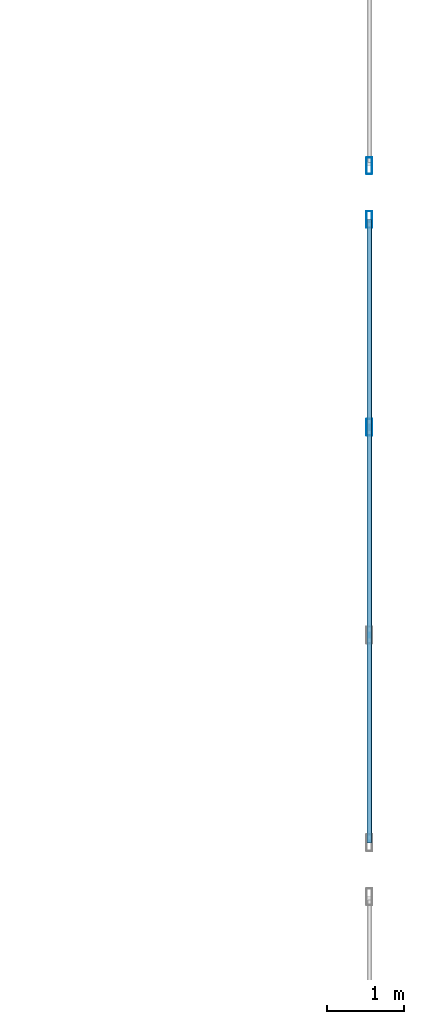
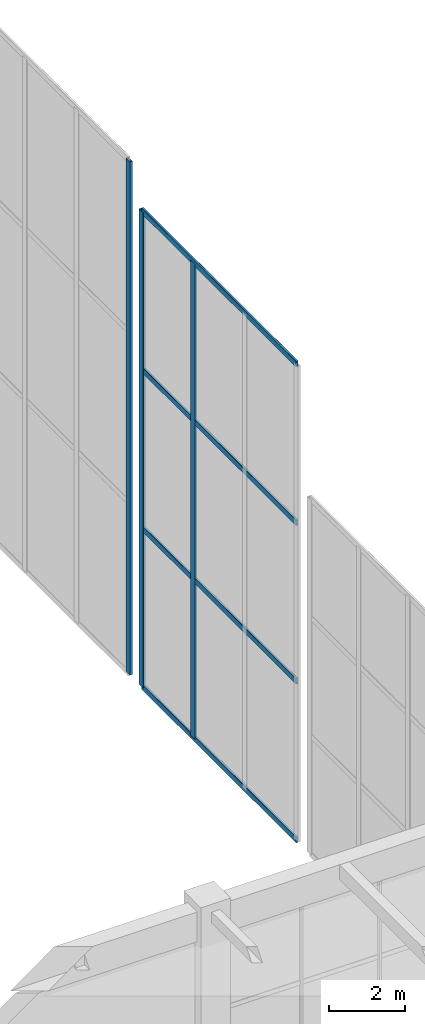
# One storey, part 105 of 163: 7 members, 2 elements without a shape of their own.
"""IFC4 building model written with IfcOpenShell, lengths in metres."""

from ifc_helpers import new_model, si_unit, direction, frame, origin, origin_2d, place, context, subcontext, project, spatial, hollow_rectangle, extrude, material, material_profile, profile_set, type_object, element, aggregate, save


model = new_model("IFC4")

# Units and contexts
model_context = context("Model", 3, precision=1e-05, world=origin(), true_north=direction((0.0, 1.0)))
body_context = subcontext(model_context, "Body", "Model", "MODEL_VIEW")
ifc_project = project(units=[si_unit("LENGTHUNIT", "METRE"), si_unit("AREAUNIT", "SQUARE_METRE"), si_unit("VOLUMEUNIT", "CUBIC_METRE"), si_unit("PLANEANGLEUNIT", "RADIAN"), si_unit("MASSUNIT", "GRAM", prefix="KILO")], contexts=[model_context])

# Site, building, storey
site_placement = place(None, origin())
site = spatial("IfcSite", under=ifc_project, at=site_placement, CompositionType="ELEMENT")
building_placement = place(site_placement, origin())
building = spatial("IfcBuilding", under=site, at=building_placement, Name="Varnabhumi Central Station", CompositionType="ELEMENT")
storey_placement = place(building_placement, frame((0.0, 0.0, 9.60009765625)))
storey = spatial("IfcBuildingStorey", under=building, at=storey_placement, Name="L02", CompositionType="ELEMENT", Elevation=9.60009765625)

# Curtain wall, members
ifc_material = material(Name="Anodised aluminium 6063-T6", Category="aluminium")
curtain_wall_type = type_object("IfcCurtainWallType", Name="CW-VAULT-ARCH-V5", PredefinedType="NOTDEFINED", material=ifc_material)
curtain_wall_1_placement = place(storey_placement, origin())
curtain_wall_1 = element("IfcCurtainWall", 1, at=curtain_wall_1_placement, inside=storey, type_object=curtain_wall_type, Name="Curtain Wall CW-WG2", PredefinedType="NOTDEFINED")
ifc_material_profile_1 = material_profile(ifc_material, hollow_rectangle(XDim=0.074951171875, YDim=0.219970703125, WallThickness=0.0048828125, InnerFilletRadius=0.0009765625, OuterFilletRadius=0.006103515625, at=origin_2d()), Name="Anodised aluminium 6063-T6", Category="aluminium")
ifc_profile_set_1 = profile_set([ifc_material_profile_1], Name="Anodised aluminium 6063-T6")
member_type_1 = type_object("IfcMemberType", Name="CW-MUL-220", PredefinedType="MULLION", material=ifc_profile_set_1)
member_1_placement = place(storey_placement, frame((184.0, 50.550048828125, 0.0), z_axis=(0.0, 0.0, 1.0), x_axis=(1.0, 0.0, 0.0)))
member_1 = element("IfcMember", 2, at=member_1_placement, type_object=member_type_1, Name="Curtain Wall Mullion CW-WG2-M3", PredefinedType="MULLION", context=body_context, shape_type="SweptSolid", body=[
    extrude(hollow_rectangle(XDim=0.074951171875, YDim=0.219970703125, WallThickness=0.0048828125, InnerFilletRadius=0.0009765625, OuterFilletRadius=0.006103515625, at=origin_2d()), origin(), (0.0, 0.0, 1.0), 15.20068359375),
])
member_2_placement = place(storey_placement, frame((184.0, 53.25, 0.0), z_axis=(0.0, 0.0, 1.0), x_axis=(1.0, 0.0, 0.0)))
member_2 = element("IfcMember", 3, at=member_2_placement, type_object=member_type_1, Name="Curtain Wall Mullion CW-WG2-M4", PredefinedType="MULLION", context=body_context, shape_type="SweptSolid", body=[
    extrude(hollow_rectangle(XDim=0.074951171875, YDim=0.219970703125, WallThickness=0.0048828125, InnerFilletRadius=0.0009765625, OuterFilletRadius=0.006103515625, at=origin_2d()), origin(), (0.0, 0.0, 1.0), 15.20068359375),
])

# Curtain wall, member
curtain_wall_2_placement = place(storey_placement, origin())
curtain_wall_2 = element("IfcCurtainWall", 4, at=curtain_wall_2_placement, inside=storey, type_object=curtain_wall_type, Name="Curtain Wall CW-WG3", PredefinedType="NOTDEFINED")
member_3_placement = place(storey_placement, frame((184.0, 53.949951171875, 0.0), z_axis=(0.0, 0.0, 1.0), x_axis=(1.0, 0.0, 0.0)))
member_3 = element("IfcMember", 5, at=member_3_placement, type_object=member_type_1, Name="Curtain Wall Mullion CW-WG3-M1", PredefinedType="MULLION", context=body_context, shape_type="SweptSolid", body=[
    extrude(hollow_rectangle(XDim=0.074951171875, YDim=0.219970703125, WallThickness=0.0048828125, InnerFilletRadius=0.0009765625, OuterFilletRadius=0.006103515625, at=origin_2d()), origin(), (0.0, 0.0, 1.0), 16.39990234375),
])
aggregate(curtain_wall_2, [member_3])

# Member
ifc_material_profile_2 = material_profile(ifc_material, hollow_rectangle(XDim=0.06494140625, YDim=0.179931640625, WallThickness=0.00390625, InnerFilletRadius=0.001953125, OuterFilletRadius=0.006103515625, at=origin_2d()), Name="Anodised aluminium 6063-T6", Category="aluminium")
ifc_profile_set_2 = profile_set([ifc_material_profile_2], Name="Anodised aluminium 6063-T6")
member_type_2 = type_object("IfcMemberType", Name="CW-TR-180", PredefinedType="USERDEFINED", material=ifc_profile_set_2)
member_4_placement = place(storey_placement, frame((184.0, 45.14990234375, 0.0), z_axis=(0.0, 1.0, 0.0), x_axis=(-1.0, 0.0, 0.0)))
member_4 = element("IfcMember", 6, at=member_4_placement, type_object=member_type_2, Name="Curtain Wall Transom CW-WG2-T1", ObjectType="TRANSOM", PredefinedType="USERDEFINED", context=body_context, shape_type="SweptSolid", body=[
    extrude(hollow_rectangle(XDim=0.06494140625, YDim=0.179931640625, WallThickness=0.00390625, InnerFilletRadius=0.001953125, OuterFilletRadius=0.006103515625, at=origin_2d()), origin(), (0.0, 0.0, 1.0), 8.10009765625),
])

member_5_placement = place(storey_placement, frame((184.0, 45.14990234375, 5.06689453125), z_axis=(0.0, 1.0, 0.0), x_axis=(-1.0, 0.0, 0.0)))
member_5 = element("IfcMember", 7, at=member_5_placement, type_object=member_type_2, Name="Curtain Wall Transom CW-WG2-T2", ObjectType="TRANSOM", PredefinedType="USERDEFINED", context=body_context, shape_type="SweptSolid", body=[
    extrude(hollow_rectangle(XDim=0.06494140625, YDim=0.179931640625, WallThickness=0.00390625, InnerFilletRadius=0.001953125, OuterFilletRadius=0.006103515625, at=origin_2d()), origin(), (0.0, 0.0, 1.0), 8.10009765625),
])

member_6_placement = place(storey_placement, frame((184.0, 45.14990234375, 10.1337890625), z_axis=(0.0, 1.0, 0.0), x_axis=(-1.0, 0.0, 0.0)))
member_6 = element("IfcMember", 8, at=member_6_placement, type_object=member_type_2, Name="Curtain Wall Transom CW-WG2-T3", ObjectType="TRANSOM", PredefinedType="USERDEFINED", context=body_context, shape_type="SweptSolid", body=[
    extrude(hollow_rectangle(XDim=0.06494140625, YDim=0.179931640625, WallThickness=0.00390625, InnerFilletRadius=0.001953125, OuterFilletRadius=0.006103515625, at=origin_2d()), origin(), (0.0, 0.0, 1.0), 8.10009765625),
])

member_7_placement = place(storey_placement, frame((184.0, 45.14990234375, 15.20068359375), z_axis=(0.0, 1.0, 0.0), x_axis=(-1.0, 0.0, 0.0)))
member_7 = element("IfcMember", 9, at=member_7_placement, type_object=member_type_2, Name="Curtain Wall Transom CW-WG2-T4", ObjectType="TRANSOM", PredefinedType="USERDEFINED", context=body_context, shape_type="SweptSolid", body=[
    extrude(hollow_rectangle(XDim=0.06494140625, YDim=0.179931640625, WallThickness=0.00390625, InnerFilletRadius=0.001953125, OuterFilletRadius=0.006103515625, at=origin_2d()), origin(), (0.0, 0.0, 1.0), 8.10009765625),
])

aggregate(curtain_wall_1, [member_1, member_2, member_4, member_5, member_6, member_7])

save(model, "model.ifc")
